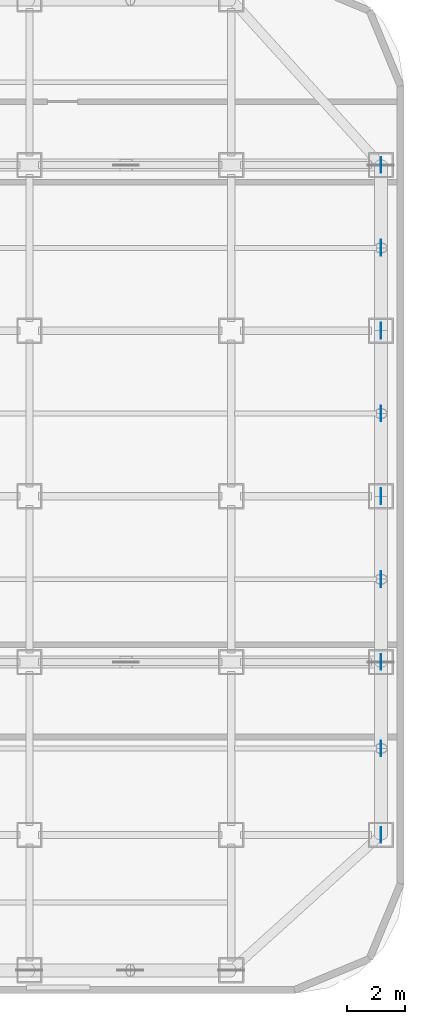
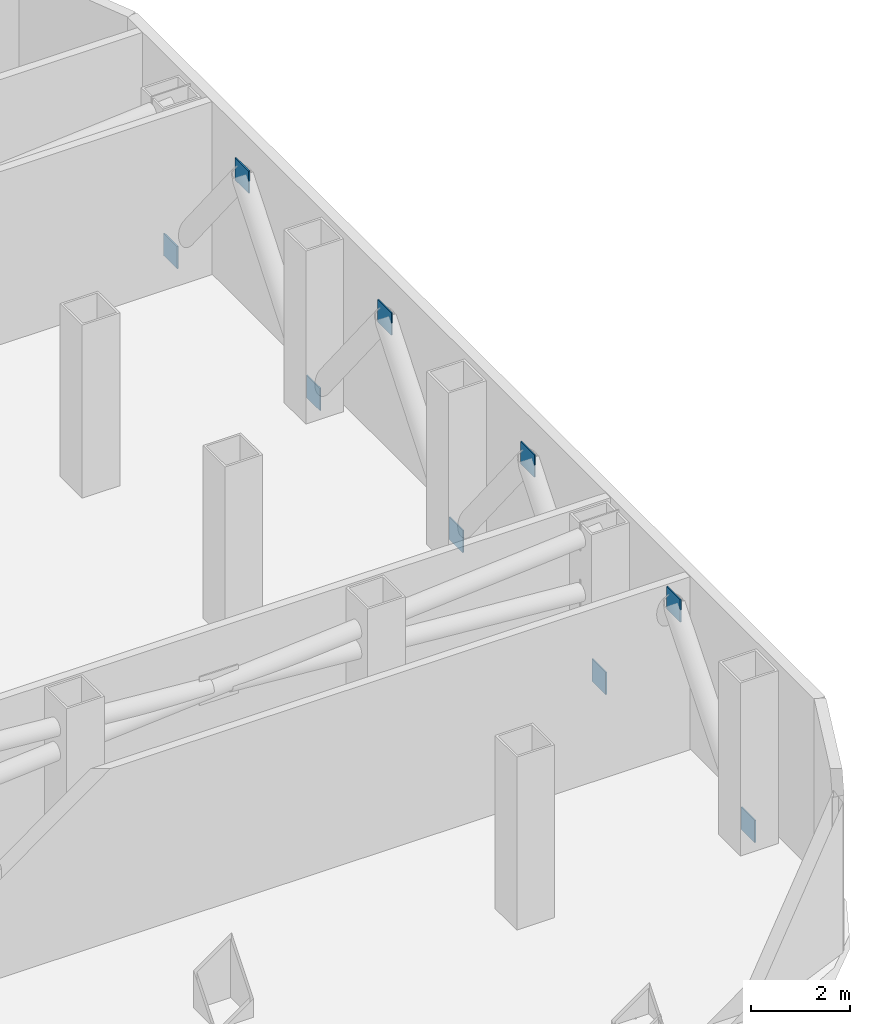
# One storey, part 6 of 9: 9 plates.
"""IFC4 building model written with IfcOpenShell, lengths in metres."""

from ifc_helpers import new_model, si_unit, direction, frame, origin, origin_2d, place, context, subcontext, project, spatial, rectangle, extrude, source, transform, mapped, material, layer, layer_set, type_object, element, save


model = new_model("IFC4")

# Units and contexts
model_context = context("Model", 3, precision=1e-05, world=origin(), true_north=direction((0.0, 1.0)))
body_context = subcontext(model_context, "Body", "Model", "MODEL_VIEW")
ifc_project = project(units=[si_unit("LENGTHUNIT", "METRE"), si_unit("AREAUNIT", "SQUARE_METRE"), si_unit("VOLUMEUNIT", "CUBIC_METRE"), si_unit("PLANEANGLEUNIT", "RADIAN"), si_unit("MASSUNIT", "GRAM", prefix="KILO")], contexts=[model_context])

# Site, building, storey
site_placement = place(None, origin())
site = spatial("IfcSite", under=ifc_project, at=site_placement, CompositionType="ELEMENT")
building_placement = place(site_placement, origin())
building = spatial("IfcBuilding", under=site, at=building_placement, Name="Kolveth Station Tower", CompositionType="ELEMENT")
storey_placement = place(building_placement, frame((0.0, 0.0, 143.89990234375)))
storey = spatial("IfcBuildingStorey", under=building, at=storey_placement, Name="L40", CompositionType="ELEMENT", Elevation=143.89990234375)

# Plates
ifc_material = material(Name="Steel S355", Category="steel")
ifc_layer = layer(ifc_material, 0.028076171875)
ifc_layer_set = layer_set([ifc_layer], Name="Steel S355")
plate_type = type_object("IfcPlateType", Name="Plate_CP1", PredefinedType="USERDEFINED", material=ifc_layer_set)
shared_shape = source(origin(), body_context, "Body", "SweptSolid", [
    extrude(rectangle(XDim=0.028076171875, YDim=0.550048828125, at=origin_2d()), origin(), (0.0, 0.0, 1.0), 0.550048828125),
])
for number, where, z_axis, x_axis, name in (
    (1, (46.199951171875, 5.5, 0.0751953125), (0.0, 0.0, 1.0), (1.0, 0.0, 0.0), "L40 Belt Truss Base Plate E1"),
    (2, (46.199951171875, 11.5, 0.0751953125), (0.0, 0.0, 1.0), (1.0, 0.0, 0.0), "L40 Belt Truss Base Plate E2"),
    (3, (46.199951171875, 17.25, 0.0751953125), (0.0, 0.0, 1.0), (1.0, 0.0, 0.0), "L40 Belt Truss Base Plate E3"),
    (4, (46.199951171875, 23.0, 0.0751953125), (0.0, 0.0, 1.0), (1.0, 0.0, 0.0), "L40 Belt Truss Base Plate E4"),
    (5, (46.199951171875, 28.75, 0.0751953125), (0.0, 0.0, 1.0), (1.0, 0.0, 0.0), "L40 Belt Truss Base Plate E5"),
    (6, (46.199951171875, 8.5, 3.67529296875), (0.0, 0.0, 1.0), (1.0, 0.0, 0.0), "L40 Belt Truss Cap Plate E1"),
    (7, (46.199951171875, 14.375, 3.67529296875), (0.0, 0.0, 1.0), (1.0, 0.0, 0.0), "L40 Belt Truss Cap Plate E2"),
    (8, (46.199951171875, 20.125, 3.67529296875), (0.0, 0.0, 1.0), (1.0, 0.0, 0.0), "L40 Belt Truss Cap Plate E3"),
    (9, (46.199951171875, 25.875, 3.67529296875), (0.0, 0.0, 1.0), (1.0, 0.0, 0.0), "L40 Belt Truss Cap Plate E4"),
):
    element("IfcPlate", number, at=place(storey_placement, frame(where, z_axis=z_axis, x_axis=x_axis)), inside=storey, type_object=plate_type, Name=name, ObjectType="GUSSET_PLATE", PredefinedType="USERDEFINED", context=body_context, shape_type="MappedRepresentation", body=[
        mapped(shared_shape, transform((0.0, 0.0, 0.0), x_axis=(1.0, 0.0, 0.0), y_axis=(0.0, 1.0, 0.0), z_axis=(0.0, 0.0, 1.0), scale=1.0)),
    ])

save(model, "model.ifc")
